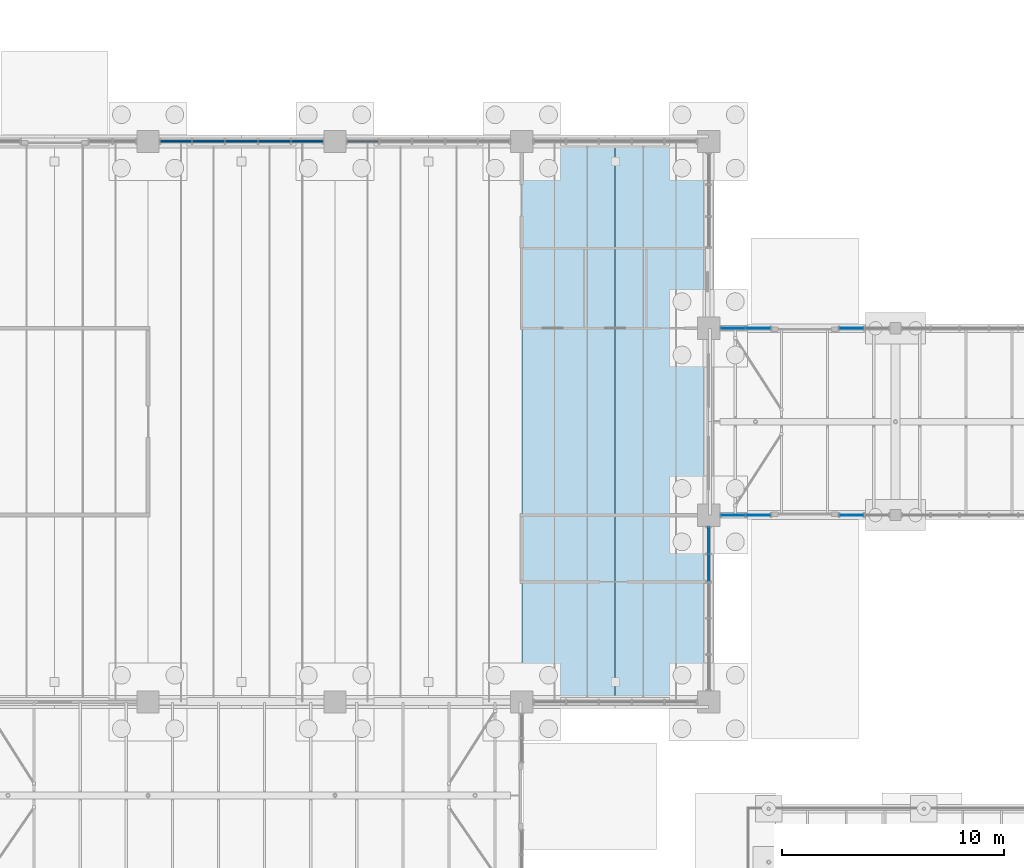
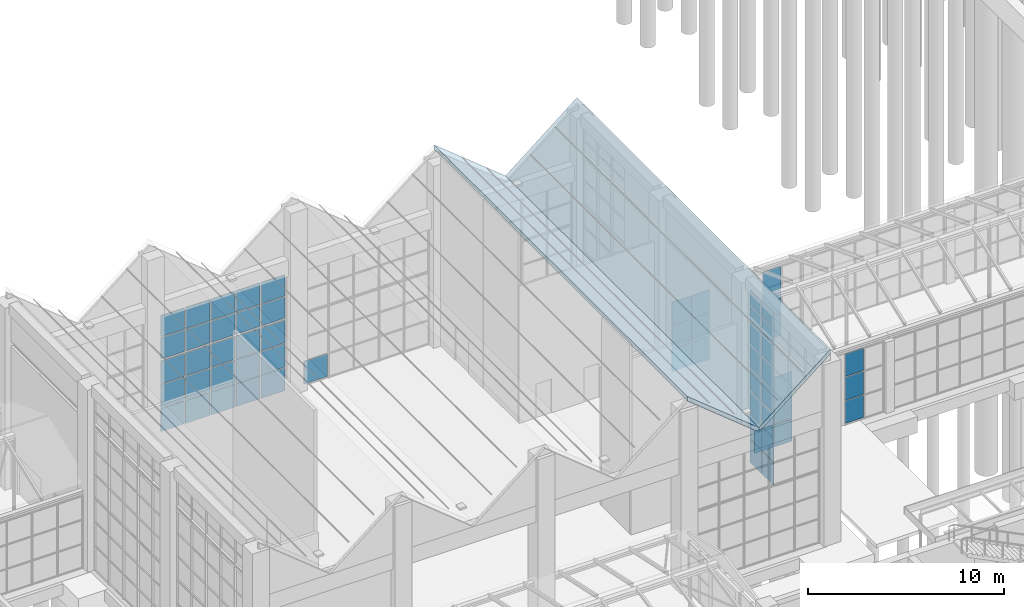
# One storey, part 86 of 138: 60 plates, 2 slabs, 10 elements without a shape of their own.
"""IFC4 building model written with IfcOpenShell, lengths in metres."""

from ifc_helpers import new_model, si_unit, direction, frame, origin, origin_2d, place, context, subcontext, project, spatial, polyline, rectangle, outline, extrude, material, layer, layer_set, type_object, element, aggregate, save


model = new_model("IFC4")

# Units and contexts
model_context = context("Model", 3, precision=1e-05, world=origin(), true_north=direction((0.0, 1.0)))
body_context = subcontext(model_context, "Body", "Model", "MODEL_VIEW")
ifc_project = project(units=[si_unit("LENGTHUNIT", "METRE"), si_unit("AREAUNIT", "SQUARE_METRE"), si_unit("VOLUMEUNIT", "CUBIC_METRE"), si_unit("PLANEANGLEUNIT", "RADIAN"), si_unit("MASSUNIT", "GRAM", prefix="KILO")], contexts=[model_context])

# Site, building, storey
site_placement = place(None, origin())
site = spatial("IfcSite", under=ifc_project, at=site_placement, CompositionType="ELEMENT")
building_placement = place(site_placement, origin())
building = spatial("IfcBuilding", under=site, at=building_placement, Name="Yavir Park General Hospital", CompositionType="ELEMENT")
storey_placement = place(building_placement, origin())
storey = spatial("IfcBuildingStorey", under=building, at=storey_placement, Name="L00", CompositionType="ELEMENT", Elevation=0.0)

# Curtain wall, plates
ifc_material_1 = material(Name="Aluminium curtain wall frame with insulated glazing", Category="aluminium")
curtain_wall_type_1 = type_object("IfcCurtainWallType", Name="Main hall glazing, clerestory band, 1970 high, 1400 module", PredefinedType="NOTDEFINED", material=ifc_material_1)
curtain_wall_1_placement = place(storey_placement, origin())
curtain_wall_1 = element("IfcCurtainWall", 1, at=curtain_wall_1_placement, inside=storey, type_object=curtain_wall_type_1, Name="CW35 L00-063", PredefinedType="NOTDEFINED")
ifc_material_2 = material(Name="Insulated glazed unit 30 mm, low-e coating")
ifc_layer_1 = layer(ifc_material_2, 0.0400390625)
ifc_layer_set_1 = layer_set([ifc_layer_1], Name="Insulated glazed unit 30 mm, low-e coating")
plate_type_1 = type_object("IfcPlateType", Name="Main hall glazing, clerestory band, 1970 high panel 40", PredefinedType="CURTAIN_PANEL", material=ifc_layer_set_1)
plate_1_placement = place(storey_placement, frame((109.199951171875, 48.03759765625, 8.89501953125), z_axis=(0.0, 0.0, 1.0), x_axis=(0.0, 1.0, 0.0)))
plate_1 = element("IfcPlate", 2, at=plate_1_placement, type_object=plate_type_1, Name="CW35 panel 1.1", PredefinedType="CURTAIN_PANEL", context=body_context, shape_type="SweptSolid", body=[
    extrude(rectangle(XDim=1.175048828125, YDim=0.0400390625, at=origin_2d()), origin(), (0.0, 0.0, 1.0), 0.909912109375),
])
plate_2_placement = place(storey_placement, frame((109.199951171875, 48.03759765625, 9.85498046875), z_axis=(0.0, 0.0, 1.0), x_axis=(0.0, 1.0, 0.0)))
plate_2 = element("IfcPlate", 3, at=plate_2_placement, type_object=plate_type_1, Name="CW35 panel 1.2", PredefinedType="CURTAIN_PANEL", context=body_context, shape_type="SweptSolid", body=[
    extrude(rectangle(XDim=1.175048828125, YDim=0.0400390625, at=origin_2d()), origin(), (0.0, 0.0, 1.0), 0.909912109375),
])
plate_3_placement = place(storey_placement, frame((109.199951171875, 49.262451171875, 8.89501953125), z_axis=(0.0, 0.0, 1.0), x_axis=(0.0, 1.0, 0.0)))
plate_3 = element("IfcPlate", 4, at=plate_3_placement, type_object=plate_type_1, Name="CW35 panel 2.1", PredefinedType="CURTAIN_PANEL", context=body_context, shape_type="SweptSolid", body=[
    extrude(rectangle(XDim=1.175048828125, YDim=0.0400390625, at=origin_2d()), origin(), (0.0, 0.0, 1.0), 0.909912109375),
])
plate_4_placement = place(storey_placement, frame((109.199951171875, 49.262451171875, 9.85498046875), z_axis=(0.0, 0.0, 1.0), x_axis=(0.0, 1.0, 0.0)))
plate_4 = element("IfcPlate", 5, at=plate_4_placement, type_object=plate_type_1, Name="CW35 panel 2.2", PredefinedType="CURTAIN_PANEL", context=body_context, shape_type="SweptSolid", body=[
    extrude(rectangle(XDim=1.175048828125, YDim=0.0400390625, at=origin_2d()), origin(), (0.0, 0.0, 1.0), 0.909912109375),
])
aggregate(curtain_wall_1, [plate_1, plate_2, plate_3, plate_4])

ifc_material_3 = material(Name="Aluminium curtain wall frame with insulated glazing", Category="aluminium")
curtain_wall_type_2 = type_object("IfcCurtainWallType", Name="Main hall glazing, lower band, 4500 high, 1400 module", PredefinedType="NOTDEFINED", material=ifc_material_3)
curtain_wall_2_placement = place(storey_placement, origin())
curtain_wall_2 = element("IfcCurtainWall", 6, at=curtain_wall_2_placement, inside=storey, type_object=curtain_wall_type_2, Name="CW33 L00-027", PredefinedType="NOTDEFINED")
ifc_material_4 = material(Name="Solar-control insulated glazed unit 40 mm")
ifc_layer_2 = layer(ifc_material_4, 0.050048828125)
ifc_layer_set_2 = layer_set([ifc_layer_2], Name="Solar-control insulated glazed unit 40 mm")
plate_type_2 = type_object("IfcPlateType", Name="Main hall glazing, lower band, 4500 high panel 50", PredefinedType="CURTAIN_PANEL", material=ifc_layer_set_2)
plate_5_placement = place(storey_placement, frame((85.2548828125, 67.199951171875, 0.06005859375), z_axis=(0.0, 0.0, 1.0), x_axis=(1.0, 0.0, 0.0)))
plate_5 = element("IfcPlate", 7, at=plate_5_placement, type_object=plate_type_2, Name="CW33 panel 1.1", PredefinedType="CURTAIN_PANEL", context=body_context, shape_type="SweptSolid", body=[
    extrude(rectangle(XDim=1.389892578125, YDim=0.050048828125, at=origin_2d()), origin(), (0.0, 0.0, 1.0), 1.409912109375),
])
plate_6_placement = place(storey_placement, frame((85.2548828125, 67.199951171875, 1.530029296875), z_axis=(0.0, 0.0, 1.0), x_axis=(1.0, 0.0, 0.0)))
plate_6 = element("IfcPlate", 8, at=plate_6_placement, type_object=plate_type_2, Name="CW33 panel 1.2", PredefinedType="CURTAIN_PANEL", context=body_context, shape_type="SweptSolid", body=[
    extrude(rectangle(XDim=1.389892578125, YDim=0.050048828125, at=origin_2d()), origin(), (0.0, 0.0, 1.0), 1.43994140625),
])
plate_7_placement = place(storey_placement, frame((85.2548828125, 67.199951171875, 3.0302734375), z_axis=(0.0, 0.0, 1.0), x_axis=(1.0, 0.0, 0.0)))
plate_7 = element("IfcPlate", 9, at=plate_7_placement, type_object=plate_type_2, Name="CW33 panel 1.3", PredefinedType="CURTAIN_PANEL", context=body_context, shape_type="SweptSolid", body=[
    extrude(rectangle(XDim=1.389892578125, YDim=0.050048828125, at=origin_2d()), origin(), (0.0, 0.0, 1.0), 1.409912109375),
])
plate_8_placement = place(storey_placement, frame((86.719970703125, 67.199951171875, 0.06005859375), z_axis=(0.0, 0.0, 1.0), x_axis=(1.0, 0.0, 0.0)))
plate_8 = element("IfcPlate", 10, at=plate_8_placement, type_object=plate_type_2, Name="CW33 panel 2.1", PredefinedType="CURTAIN_PANEL", context=body_context, shape_type="SweptSolid", body=[
    extrude(rectangle(XDim=1.419921875, YDim=0.050048828125, at=origin_2d()), origin(), (0.0, 0.0, 1.0), 1.409912109375),
])
plate_9_placement = place(storey_placement, frame((86.719970703125, 67.199951171875, 1.530029296875), z_axis=(0.0, 0.0, 1.0), x_axis=(1.0, 0.0, 0.0)))
plate_9 = element("IfcPlate", 11, at=plate_9_placement, type_object=plate_type_2, Name="CW33 panel 2.2", PredefinedType="CURTAIN_PANEL", context=body_context, shape_type="SweptSolid", body=[
    extrude(rectangle(XDim=1.419921875, YDim=0.050048828125, at=origin_2d()), origin(), (0.0, 0.0, 1.0), 1.43994140625),
])
plate_10_placement = place(storey_placement, frame((86.719970703125, 67.199951171875, 3.0302734375), z_axis=(0.0, 0.0, 1.0), x_axis=(1.0, 0.0, 0.0)))
plate_10 = element("IfcPlate", 12, at=plate_10_placement, type_object=plate_type_2, Name="CW33 panel 2.3", PredefinedType="CURTAIN_PANEL", context=body_context, shape_type="SweptSolid", body=[
    extrude(rectangle(XDim=1.419921875, YDim=0.050048828125, at=origin_2d()), origin(), (0.0, 0.0, 1.0), 1.409912109375),
])
plate_11_placement = place(storey_placement, frame((88.199951171875, 67.199951171875, 0.06005859375), z_axis=(0.0, 0.0, 1.0), x_axis=(1.0, 0.0, 0.0)))
plate_11 = element("IfcPlate", 13, at=plate_11_placement, type_object=plate_type_2, Name="CW33 panel 3.1", PredefinedType="CURTAIN_PANEL", context=body_context, shape_type="SweptSolid", body=[
    extrude(rectangle(XDim=1.419921875, YDim=0.050048828125, at=origin_2d()), origin(), (0.0, 0.0, 1.0), 1.409912109375),
])
plate_12_placement = place(storey_placement, frame((88.199951171875, 67.199951171875, 1.530029296875), z_axis=(0.0, 0.0, 1.0), x_axis=(1.0, 0.0, 0.0)))
plate_12 = element("IfcPlate", 14, at=plate_12_placement, type_object=plate_type_2, Name="CW33 panel 3.2", PredefinedType="CURTAIN_PANEL", context=body_context, shape_type="SweptSolid", body=[
    extrude(rectangle(XDim=1.419921875, YDim=0.050048828125, at=origin_2d()), origin(), (0.0, 0.0, 1.0), 1.43994140625),
])
plate_13_placement = place(storey_placement, frame((88.199951171875, 67.199951171875, 3.0302734375), z_axis=(0.0, 0.0, 1.0), x_axis=(1.0, 0.0, 0.0)))
plate_13 = element("IfcPlate", 15, at=plate_13_placement, type_object=plate_type_2, Name="CW33 panel 3.3", PredefinedType="CURTAIN_PANEL", context=body_context, shape_type="SweptSolid", body=[
    extrude(rectangle(XDim=1.419921875, YDim=0.050048828125, at=origin_2d()), origin(), (0.0, 0.0, 1.0), 1.409912109375),
])
plate_14_placement = place(storey_placement, frame((89.679931640625, 67.199951171875, 0.06005859375), z_axis=(0.0, 0.0, 1.0), x_axis=(1.0, 0.0, 0.0)))
plate_14 = element("IfcPlate", 16, at=plate_14_placement, type_object=plate_type_2, Name="CW33 panel 4.1", PredefinedType="CURTAIN_PANEL", context=body_context, shape_type="SweptSolid", body=[
    extrude(rectangle(XDim=1.419921875, YDim=0.050048828125, at=origin_2d()), origin(), (0.0, 0.0, 1.0), 1.409912109375),
])
plate_15_placement = place(storey_placement, frame((89.679931640625, 67.199951171875, 1.530029296875), z_axis=(0.0, 0.0, 1.0), x_axis=(1.0, 0.0, 0.0)))
plate_15 = element("IfcPlate", 17, at=plate_15_placement, type_object=plate_type_2, Name="CW33 panel 4.2", PredefinedType="CURTAIN_PANEL", context=body_context, shape_type="SweptSolid", body=[
    extrude(rectangle(XDim=1.419921875, YDim=0.050048828125, at=origin_2d()), origin(), (0.0, 0.0, 1.0), 1.43994140625),
])
plate_16_placement = place(storey_placement, frame((89.679931640625, 67.199951171875, 3.0302734375), z_axis=(0.0, 0.0, 1.0), x_axis=(1.0, 0.0, 0.0)))
plate_16 = element("IfcPlate", 18, at=plate_16_placement, type_object=plate_type_2, Name="CW33 panel 4.3", PredefinedType="CURTAIN_PANEL", context=body_context, shape_type="SweptSolid", body=[
    extrude(rectangle(XDim=1.419921875, YDim=0.050048828125, at=origin_2d()), origin(), (0.0, 0.0, 1.0), 1.409912109375),
])
plate_17_placement = place(storey_placement, frame((91.14501953125, 67.199951171875, 0.06005859375), z_axis=(0.0, 0.0, 1.0), x_axis=(1.0, 0.0, 0.0)))
plate_17 = element("IfcPlate", 19, at=plate_17_placement, type_object=plate_type_2, Name="CW33 panel 5.1", PredefinedType="CURTAIN_PANEL", context=body_context, shape_type="SweptSolid", body=[
    extrude(rectangle(XDim=1.389892578125, YDim=0.050048828125, at=origin_2d()), origin(), (0.0, 0.0, 1.0), 1.409912109375),
])
plate_18_placement = place(storey_placement, frame((91.14501953125, 67.199951171875, 1.530029296875), z_axis=(0.0, 0.0, 1.0), x_axis=(1.0, 0.0, 0.0)))
plate_18 = element("IfcPlate", 20, at=plate_18_placement, type_object=plate_type_2, Name="CW33 panel 5.2", PredefinedType="CURTAIN_PANEL", context=body_context, shape_type="SweptSolid", body=[
    extrude(rectangle(XDim=1.389892578125, YDim=0.050048828125, at=origin_2d()), origin(), (0.0, 0.0, 1.0), 1.43994140625),
])
plate_19_placement = place(storey_placement, frame((91.14501953125, 67.199951171875, 3.0302734375), z_axis=(0.0, 0.0, 1.0), x_axis=(1.0, 0.0, 0.0)))
plate_19 = element("IfcPlate", 21, at=plate_19_placement, type_object=plate_type_2, Name="CW33 panel 5.3", PredefinedType="CURTAIN_PANEL", context=body_context, shape_type="SweptSolid", body=[
    extrude(rectangle(XDim=1.389892578125, YDim=0.050048828125, at=origin_2d()), origin(), (0.0, 0.0, 1.0), 1.409912109375),
])
aggregate(curtain_wall_2, [plate_5, plate_6, plate_7, plate_8, plate_9, plate_10, plate_11, plate_12, plate_13, plate_14, plate_15, plate_16, plate_17, plate_18, plate_19])

# Curtain wall, plate
curtain_wall_3_placement = place(storey_placement, origin())
curtain_wall_3 = element("IfcCurtainWall", 22, at=curtain_wall_3_placement, inside=storey, type_object=curtain_wall_type_2, Name="CW33 L00-029", PredefinedType="NOTDEFINED")
plate_20_placement = place(storey_placement, frame((93.655029296875, 67.199951171875, 0.06005859375), z_axis=(0.0, 0.0, 1.0), x_axis=(1.0, 0.0, 0.0)))
plate_20 = element("IfcPlate", 23, at=plate_20_placement, type_object=plate_type_2, Name="CW33 panel 1.1", PredefinedType="CURTAIN_PANEL", context=body_context, shape_type="SweptSolid", body=[
    extrude(rectangle(XDim=1.389892578125, YDim=0.050048828125, at=origin_2d()), origin(), (0.0, 0.0, 1.0), 1.409912109375),
])
aggregate(curtain_wall_3, [plate_20])

# Curtain wall, plates
curtain_wall_4_placement = place(storey_placement, origin())
curtain_wall_4 = element("IfcCurtainWall", 24, at=curtain_wall_4_placement, inside=storey, type_object=curtain_wall_type_2, Name="CW33 L00-061", PredefinedType="NOTDEFINED")
plate_21_placement = place(storey_placement, frame((109.199951171875, 48.0400390625, 0.06005859375), z_axis=(0.0, 0.0, 1.0), x_axis=(0.0, 1.0, 0.0)))
plate_21 = element("IfcPlate", 25, at=plate_21_placement, type_object=plate_type_2, Name="CW33 panel 1.1", PredefinedType="CURTAIN_PANEL", context=body_context, shape_type="SweptSolid", body=[
    extrude(rectangle(XDim=1.159912109375, YDim=0.050048828125, at=origin_2d()), origin(), (0.0, 0.0, 1.0), 1.409912109375),
])
plate_22_placement = place(storey_placement, frame((109.199951171875, 48.0400390625, 1.530029296875), z_axis=(0.0, 0.0, 1.0), x_axis=(0.0, 1.0, 0.0)))
plate_22 = element("IfcPlate", 26, at=plate_22_placement, type_object=plate_type_2, Name="CW33 panel 1.2", PredefinedType="CURTAIN_PANEL", context=body_context, shape_type="SweptSolid", body=[
    extrude(rectangle(XDim=1.159912109375, YDim=0.050048828125, at=origin_2d()), origin(), (0.0, 0.0, 1.0), 1.43994140625),
])
plate_23_placement = place(storey_placement, frame((109.199951171875, 48.0400390625, 3.0302734375), z_axis=(0.0, 0.0, 1.0), x_axis=(0.0, 1.0, 0.0)))
plate_23 = element("IfcPlate", 27, at=plate_23_placement, type_object=plate_type_2, Name="CW33 panel 1.3", PredefinedType="CURTAIN_PANEL", context=body_context, shape_type="SweptSolid", body=[
    extrude(rectangle(XDim=1.159912109375, YDim=0.050048828125, at=origin_2d()), origin(), (0.0, 0.0, 1.0), 1.409912109375),
])
plate_24_placement = place(storey_placement, frame((109.199951171875, 49.260009765625, 0.06005859375), z_axis=(0.0, 0.0, 1.0), x_axis=(0.0, 1.0, 0.0)))
plate_24 = element("IfcPlate", 28, at=plate_24_placement, type_object=plate_type_2, Name="CW33 panel 2.1", PredefinedType="CURTAIN_PANEL", context=body_context, shape_type="SweptSolid", body=[
    extrude(rectangle(XDim=1.159912109375, YDim=0.050048828125, at=origin_2d()), origin(), (0.0, 0.0, 1.0), 1.409912109375),
])
plate_25_placement = place(storey_placement, frame((109.199951171875, 49.260009765625, 1.530029296875), z_axis=(0.0, 0.0, 1.0), x_axis=(0.0, 1.0, 0.0)))
plate_25 = element("IfcPlate", 29, at=plate_25_placement, type_object=plate_type_2, Name="CW33 panel 2.2", PredefinedType="CURTAIN_PANEL", context=body_context, shape_type="SweptSolid", body=[
    extrude(rectangle(XDim=1.159912109375, YDim=0.050048828125, at=origin_2d()), origin(), (0.0, 0.0, 1.0), 1.43994140625),
])
plate_26_placement = place(storey_placement, frame((109.199951171875, 49.260009765625, 3.0302734375), z_axis=(0.0, 0.0, 1.0), x_axis=(0.0, 1.0, 0.0)))
plate_26 = element("IfcPlate", 30, at=plate_26_placement, type_object=plate_type_2, Name="CW33 panel 2.3", PredefinedType="CURTAIN_PANEL", context=body_context, shape_type="SweptSolid", body=[
    extrude(rectangle(XDim=1.159912109375, YDim=0.050048828125, at=origin_2d()), origin(), (0.0, 0.0, 1.0), 1.409912109375),
])
aggregate(curtain_wall_4, [plate_21, plate_22, plate_23, plate_24, plate_25, plate_26])

ifc_material_5 = material(Name="Aluminium curtain wall frame with insulated glazing", Category="aluminium")
curtain_wall_type_3 = type_object("IfcCurtainWallType", Name="Main hall glazing, upper band, 2817 high, 1400 module", PredefinedType="NOTDEFINED", material=ifc_material_5)
curtain_wall_5_placement = place(storey_placement, origin())
curtain_wall_5 = element("IfcCurtainWall", 31, at=curtain_wall_5_placement, inside=storey, type_object=curtain_wall_type_3, Name="CW34 L00-028", PredefinedType="NOTDEFINED")
ifc_material_6 = material(Name="Solar-control insulated glazed unit 40 mm")
ifc_layer_3 = layer(ifc_material_6, 0.0400390625)
ifc_layer_set_3 = layer_set([ifc_layer_3], Name="Solar-control insulated glazed unit 40 mm")
plate_type_3 = type_object("IfcPlateType", Name="Main hall glazing, upper band, 2817 high panel 40", PredefinedType="CURTAIN_PANEL", material=ifc_layer_set_3)
plate_27_placement = place(storey_placement, frame((85.2548828125, 67.199951171875, 4.56005859375), z_axis=(0.0, 0.0, 1.0), x_axis=(1.0, 0.0, 0.0)))
plate_27 = element("IfcPlate", 32, at=plate_27_placement, type_object=plate_type_3, Name="CW34 panel 1.1", PredefinedType="CURTAIN_PANEL", context=body_context, shape_type="SweptSolid", body=[
    extrude(rectangle(XDim=1.389892578125, YDim=0.0400390625, at=origin_2d()), origin(), (0.0, 0.0, 1.0), 1.318603515625),
])
plate_28_placement = place(storey_placement, frame((85.2548828125, 67.199951171875, 5.9384765625), z_axis=(0.0, 0.0, 1.0), x_axis=(1.0, 0.0, 0.0)))
plate_28 = element("IfcPlate", 33, at=plate_28_placement, type_object=plate_type_3, Name="CW34 panel 1.2", PredefinedType="CURTAIN_PANEL", context=body_context, shape_type="SweptSolid", body=[
    extrude(rectangle(XDim=1.389892578125, YDim=0.0400390625, at=origin_2d()), origin(), (0.0, 0.0, 1.0), 1.318603515625),
])
plate_29_placement = place(storey_placement, frame((86.719970703125, 67.199951171875, 4.56005859375), z_axis=(0.0, 0.0, 1.0), x_axis=(1.0, 0.0, 0.0)))
plate_29 = element("IfcPlate", 34, at=plate_29_placement, type_object=plate_type_3, Name="CW34 panel 2.1", PredefinedType="CURTAIN_PANEL", context=body_context, shape_type="SweptSolid", body=[
    extrude(rectangle(XDim=1.419921875, YDim=0.0400390625, at=origin_2d()), origin(), (0.0, 0.0, 1.0), 1.318603515625),
])
plate_30_placement = place(storey_placement, frame((86.719970703125, 67.199951171875, 5.9384765625), z_axis=(0.0, 0.0, 1.0), x_axis=(1.0, 0.0, 0.0)))
plate_30 = element("IfcPlate", 35, at=plate_30_placement, type_object=plate_type_3, Name="CW34 panel 2.2", PredefinedType="CURTAIN_PANEL", context=body_context, shape_type="SweptSolid", body=[
    extrude(rectangle(XDim=1.419921875, YDim=0.0400390625, at=origin_2d()), origin(), (0.0, 0.0, 1.0), 1.318603515625),
])
plate_31_placement = place(storey_placement, frame((88.199951171875, 67.199951171875, 4.56005859375), z_axis=(0.0, 0.0, 1.0), x_axis=(1.0, 0.0, 0.0)))
plate_31 = element("IfcPlate", 36, at=plate_31_placement, type_object=plate_type_3, Name="CW34 panel 3.1", PredefinedType="CURTAIN_PANEL", context=body_context, shape_type="SweptSolid", body=[
    extrude(rectangle(XDim=1.419921875, YDim=0.0400390625, at=origin_2d()), origin(), (0.0, 0.0, 1.0), 1.318603515625),
])
plate_32_placement = place(storey_placement, frame((88.199951171875, 67.199951171875, 5.9384765625), z_axis=(0.0, 0.0, 1.0), x_axis=(1.0, 0.0, 0.0)))
plate_32 = element("IfcPlate", 37, at=plate_32_placement, type_object=plate_type_3, Name="CW34 panel 3.2", PredefinedType="CURTAIN_PANEL", context=body_context, shape_type="SweptSolid", body=[
    extrude(rectangle(XDim=1.419921875, YDim=0.0400390625, at=origin_2d()), origin(), (0.0, 0.0, 1.0), 1.318603515625),
])
plate_33_placement = place(storey_placement, frame((89.679931640625, 67.199951171875, 4.56005859375), z_axis=(0.0, 0.0, 1.0), x_axis=(1.0, 0.0, 0.0)))
plate_33 = element("IfcPlate", 38, at=plate_33_placement, type_object=plate_type_3, Name="CW34 panel 4.1", PredefinedType="CURTAIN_PANEL", context=body_context, shape_type="SweptSolid", body=[
    extrude(rectangle(XDim=1.419921875, YDim=0.0400390625, at=origin_2d()), origin(), (0.0, 0.0, 1.0), 1.318603515625),
])
plate_34_placement = place(storey_placement, frame((89.679931640625, 67.199951171875, 5.9384765625), z_axis=(0.0, 0.0, 1.0), x_axis=(1.0, 0.0, 0.0)))
plate_34 = element("IfcPlate", 39, at=plate_34_placement, type_object=plate_type_3, Name="CW34 panel 4.2", PredefinedType="CURTAIN_PANEL", context=body_context, shape_type="SweptSolid", body=[
    extrude(rectangle(XDim=1.419921875, YDim=0.0400390625, at=origin_2d()), origin(), (0.0, 0.0, 1.0), 1.318603515625),
])
plate_35_placement = place(storey_placement, frame((91.14501953125, 67.199951171875, 4.56005859375), z_axis=(0.0, 0.0, 1.0), x_axis=(1.0, 0.0, 0.0)))
plate_35 = element("IfcPlate", 40, at=plate_35_placement, type_object=plate_type_3, Name="CW34 panel 5.1", PredefinedType="CURTAIN_PANEL", context=body_context, shape_type="SweptSolid", body=[
    extrude(rectangle(XDim=1.389892578125, YDim=0.0400390625, at=origin_2d()), origin(), (0.0, 0.0, 1.0), 1.318603515625),
])
plate_36_placement = place(storey_placement, frame((91.14501953125, 67.199951171875, 5.9384765625), z_axis=(0.0, 0.0, 1.0), x_axis=(1.0, 0.0, 0.0)))
plate_36 = element("IfcPlate", 41, at=plate_36_placement, type_object=plate_type_3, Name="CW34 panel 5.2", PredefinedType="CURTAIN_PANEL", context=body_context, shape_type="SweptSolid", body=[
    extrude(rectangle(XDim=1.389892578125, YDim=0.0400390625, at=origin_2d()), origin(), (0.0, 0.0, 1.0), 1.318603515625),
])
aggregate(curtain_wall_5, [plate_27, plate_28, plate_29, plate_30, plate_31, plate_32, plate_33, plate_34, plate_35, plate_36])

ifc_material_7 = material(Name="Aluminium curtain wall frame with insulated glazing", Category="aluminium")
curtain_wall_type_4 = type_object("IfcCurtainWallType", Name="Main hall glazing, upper band, 4345 high, 1400 module", PredefinedType="NOTDEFINED", material=ifc_material_7)
curtain_wall_6_placement = place(storey_placement, origin())
curtain_wall_6 = element("IfcCurtainWall", 42, at=curtain_wall_6_placement, inside=storey, type_object=curtain_wall_type_4, Name="CW52 L00-062", PredefinedType="NOTDEFINED")
ifc_material_8 = material(Name="Solar-control insulated glazed unit 40 mm")
ifc_layer_4 = layer(ifc_material_8, 0.0400390625)
ifc_layer_set_4 = layer_set([ifc_layer_4], Name="Solar-control insulated glazed unit 40 mm")
plate_type_4 = type_object("IfcPlateType", Name="Main hall glazing, upper band, 4345 high panel 40", PredefinedType="CURTAIN_PANEL", material=ifc_layer_set_4)
plate_37_placement = place(storey_placement, frame((109.199951171875, 48.0400390625, 4.56005859375), z_axis=(0.0, 0.0, 1.0), x_axis=(0.0, 1.0, 0.0)))
plate_37 = element("IfcPlate", 43, at=plate_37_placement, type_object=plate_type_4, Name="CW52 panel 1.1", PredefinedType="CURTAIN_PANEL", context=body_context, shape_type="SweptSolid", body=[
    extrude(rectangle(XDim=1.159912109375, YDim=0.0400390625, at=origin_2d()), origin(), (0.0, 0.0, 1.0), 1.3583984375),
])
plate_38_placement = place(storey_placement, frame((109.199951171875, 48.0400390625, 5.978515625), z_axis=(0.0, 0.0, 1.0), x_axis=(0.0, 1.0, 0.0)))
plate_38 = element("IfcPlate", 44, at=plate_38_placement, type_object=plate_type_4, Name="CW52 panel 1.2", PredefinedType="CURTAIN_PANEL", context=body_context, shape_type="SweptSolid", body=[
    extrude(rectangle(XDim=1.159912109375, YDim=0.0400390625, at=origin_2d()), origin(), (0.0, 0.0, 1.0), 1.388427734375),
])
plate_39_placement = place(storey_placement, frame((109.199951171875, 48.0400390625, 7.426513671875), z_axis=(0.0, 0.0, 1.0), x_axis=(0.0, 1.0, 0.0)))
plate_39 = element("IfcPlate", 45, at=plate_39_placement, type_object=plate_type_4, Name="CW52 panel 1.3", PredefinedType="CURTAIN_PANEL", context=body_context, shape_type="SweptSolid", body=[
    extrude(rectangle(XDim=1.159912109375, YDim=0.0400390625, at=origin_2d()), origin(), (0.0, 0.0, 1.0), 1.3583984375),
])
plate_40_placement = place(storey_placement, frame((109.199951171875, 49.260009765625, 4.56005859375), z_axis=(0.0, 0.0, 1.0), x_axis=(0.0, 1.0, 0.0)))
plate_40 = element("IfcPlate", 46, at=plate_40_placement, type_object=plate_type_4, Name="CW52 panel 2.1", PredefinedType="CURTAIN_PANEL", context=body_context, shape_type="SweptSolid", body=[
    extrude(rectangle(XDim=1.159912109375, YDim=0.0400390625, at=origin_2d()), origin(), (0.0, 0.0, 1.0), 1.3583984375),
])
plate_41_placement = place(storey_placement, frame((109.199951171875, 49.260009765625, 5.978515625), z_axis=(0.0, 0.0, 1.0), x_axis=(0.0, 1.0, 0.0)))
plate_41 = element("IfcPlate", 47, at=plate_41_placement, type_object=plate_type_4, Name="CW52 panel 2.2", PredefinedType="CURTAIN_PANEL", context=body_context, shape_type="SweptSolid", body=[
    extrude(rectangle(XDim=1.159912109375, YDim=0.0400390625, at=origin_2d()), origin(), (0.0, 0.0, 1.0), 1.388427734375),
])
plate_42_placement = place(storey_placement, frame((109.199951171875, 49.260009765625, 7.426513671875), z_axis=(0.0, 0.0, 1.0), x_axis=(0.0, 1.0, 0.0)))
plate_42 = element("IfcPlate", 48, at=plate_42_placement, type_object=plate_type_4, Name="CW52 panel 2.3", PredefinedType="CURTAIN_PANEL", context=body_context, shape_type="SweptSolid", body=[
    extrude(rectangle(XDim=1.159912109375, YDim=0.0400390625, at=origin_2d()), origin(), (0.0, 0.0, 1.0), 1.3583984375),
])
aggregate(curtain_wall_6, [plate_37, plate_38, plate_39, plate_40, plate_41, plate_42])

# Slabs
ifc_material_9 = material(Name="Concrete C35/45", Category="concrete")
ifc_layer_5 = layer(ifc_material_9, 0.219970703125)
ifc_layer_set_5 = layer_set([ifc_layer_5], Name="Concrete C35/45")
slab_type = type_object("IfcSlabType", Name="RC SLAB ROOF 220", PredefinedType="ROOF", material=ifc_layer_set_5)
slab_1_placement = place(storey_placement, frame((100.800048828125, 41.699951171875, 12.0), z_axis=(0.0, 0.0, 1.0), x_axis=(1.0, 0.0, 0.0)))
element("IfcSlab", 49, at=slab_1_placement, inside=storey, type_object=slab_type, Name="RF:HALL:F07", PredefinedType="ROOF", context=body_context, shape_type="SweptSolid", body=[
    extrude(outline(polyline([(0.0, 0.0), (4.199951171875, -3.39990234375), (4.199951171875, -3.682861328125), (0.0, -0.282958984375), (0.0, 0.0)])), frame((0.0, 25.800048828125, 0.0), z_axis=(0.0, -1.0, 0.0), x_axis=(1.0, 0.0, 0.0)), (0.0, 0.0, 1.0), 25.800048828125),
])
slab_2_placement = place(storey_placement, frame((105.0, 41.699951171875, 8.60009765625), z_axis=(0.0, 0.0, 1.0), x_axis=(1.0, 0.0, 0.0)))
element("IfcSlab", 50, at=slab_2_placement, inside=storey, type_object=slab_type, Name="RF:HALL:F08", PredefinedType="ROOF", context=body_context, shape_type="SweptSolid", body=[
    extrude(outline(polyline([(0.0, 0.0), (4.199951171875, 3.39990234375), (4.199951171875, 3.116943359375), (0.0, -0.282958984375), (0.0, 0.0)])), frame((0.0, 25.800048828125, 0.0), z_axis=(0.0, -1.0, 0.0), x_axis=(1.0, 0.0, 0.0)), (0.0, 0.0, 1.0), 25.800048828125),
])

# Curtain wall, plates
ifc_material_10 = material(Name="Aluminium curtain wall frame with insulated glazing", Category="aluminium")
curtain_wall_type_5 = type_object("IfcCurtainWallType", Name="Winter-garden concourse glazing, 4425 high, 1400 module", PredefinedType="NOTDEFINED", material=ifc_material_10)
curtain_wall_7_placement = place(storey_placement, origin())
curtain_wall_7 = element("IfcCurtainWall", 51, at=curtain_wall_7_placement, inside=storey, type_object=curtain_wall_type_5, Name="CW37 L00-013", PredefinedType="NOTDEFINED")
ifc_material_11 = material(Name="Solar-control insulated glazed unit 40 mm")
ifc_layer_6 = layer(ifc_material_11, 0.0400390625)
ifc_layer_set_6 = layer_set([ifc_layer_6], Name="Solar-control insulated glazed unit 40 mm")
plate_type_5 = type_object("IfcPlateType", Name="Winter-garden concourse glazing, 4425 high panel 40", PredefinedType="CURTAIN_PANEL", material=ifc_layer_set_6)
plate_43_placement = place(storey_placement, frame((110.296142578125, 50.39990234375, 0.06005859375), z_axis=(0.0, 0.0, 1.0), x_axis=(1.0, 0.0, 0.0)))
plate_43 = element("IfcPlate", 52, at=plate_43_placement, type_object=plate_type_5, Name="CW37 panel 1.1", PredefinedType="CURTAIN_PANEL", context=body_context, shape_type="SweptSolid", body=[
    extrude(rectangle(XDim=1.072509765625, YDim=0.0400390625, at=origin_2d()), origin(), (0.0, 0.0, 1.0), 1.385009765625),
])
plate_44_placement = place(storey_placement, frame((110.296142578125, 50.39990234375, 1.5048828125), z_axis=(0.0, 0.0, 1.0), x_axis=(1.0, 0.0, 0.0)))
plate_44 = element("IfcPlate", 53, at=plate_44_placement, type_object=plate_type_5, Name="CW37 panel 1.2", PredefinedType="CURTAIN_PANEL", context=body_context, shape_type="SweptSolid", body=[
    extrude(rectangle(XDim=1.072509765625, YDim=0.0400390625, at=origin_2d()), origin(), (0.0, 0.0, 1.0), 1.4150390625),
])
plate_45_placement = place(storey_placement, frame((110.296142578125, 50.39990234375, 2.97998046875), z_axis=(0.0, 0.0, 1.0), x_axis=(1.0, 0.0, 0.0)))
plate_45 = element("IfcPlate", 54, at=plate_45_placement, type_object=plate_type_5, Name="CW37 panel 1.3", PredefinedType="CURTAIN_PANEL", context=body_context, shape_type="SweptSolid", body=[
    extrude(rectangle(XDim=1.072509765625, YDim=0.0400390625, at=origin_2d()), origin(), (0.0, 0.0, 1.0), 1.385009765625),
])
plate_46_placement = place(storey_placement, frame((111.4287109375, 50.39990234375, 0.06005859375), z_axis=(0.0, 0.0, 1.0), x_axis=(1.0, 0.0, 0.0)))
plate_46 = element("IfcPlate", 55, at=plate_46_placement, type_object=plate_type_5, Name="CW37 panel 2.1", PredefinedType="CURTAIN_PANEL", context=body_context, shape_type="SweptSolid", body=[
    extrude(rectangle(XDim=1.072509765625, YDim=0.0400390625, at=origin_2d()), origin(), (0.0, 0.0, 1.0), 1.385009765625),
])
plate_47_placement = place(storey_placement, frame((111.4287109375, 50.39990234375, 1.5048828125), z_axis=(0.0, 0.0, 1.0), x_axis=(1.0, 0.0, 0.0)))
plate_47 = element("IfcPlate", 56, at=plate_47_placement, type_object=plate_type_5, Name="CW37 panel 2.2", PredefinedType="CURTAIN_PANEL", context=body_context, shape_type="SweptSolid", body=[
    extrude(rectangle(XDim=1.072509765625, YDim=0.0400390625, at=origin_2d()), origin(), (0.0, 0.0, 1.0), 1.4150390625),
])
plate_48_placement = place(storey_placement, frame((111.4287109375, 50.39990234375, 2.97998046875), z_axis=(0.0, 0.0, 1.0), x_axis=(1.0, 0.0, 0.0)))
plate_48 = element("IfcPlate", 57, at=plate_48_placement, type_object=plate_type_5, Name="CW37 panel 2.3", PredefinedType="CURTAIN_PANEL", context=body_context, shape_type="SweptSolid", body=[
    extrude(rectangle(XDim=1.072509765625, YDim=0.0400390625, at=origin_2d()), origin(), (0.0, 0.0, 1.0), 1.385009765625),
])
aggregate(curtain_wall_7, [plate_43, plate_44, plate_45, plate_46, plate_47, plate_48])

curtain_wall_8_placement = place(storey_placement, origin())
curtain_wall_8 = element("IfcCurtainWall", 58, at=curtain_wall_8_placement, inside=storey, type_object=curtain_wall_type_5, Name="CW37 L00-014", PredefinedType="NOTDEFINED")
plate_49_placement = place(storey_placement, frame((115.621337890625, 50.39990234375, 0.06005859375), z_axis=(0.0, 0.0, 1.0), x_axis=(1.0, 0.0, 0.0)))
plate_49 = element("IfcPlate", 59, at=plate_49_placement, type_object=plate_type_5, Name="CW37 panel 1.1", PredefinedType="CURTAIN_PANEL", context=body_context, shape_type="SweptSolid", body=[
    extrude(rectangle(XDim=1.072509765625, YDim=0.0400390625, at=origin_2d()), origin(), (0.0, 0.0, 1.0), 1.385009765625),
])
plate_50_placement = place(storey_placement, frame((115.621337890625, 50.39990234375, 1.5048828125), z_axis=(0.0, 0.0, 1.0), x_axis=(1.0, 0.0, 0.0)))
plate_50 = element("IfcPlate", 60, at=plate_50_placement, type_object=plate_type_5, Name="CW37 panel 1.2", PredefinedType="CURTAIN_PANEL", context=body_context, shape_type="SweptSolid", body=[
    extrude(rectangle(XDim=1.072509765625, YDim=0.0400390625, at=origin_2d()), origin(), (0.0, 0.0, 1.0), 1.4150390625),
])
plate_51_placement = place(storey_placement, frame((115.621337890625, 50.39990234375, 2.97998046875), z_axis=(0.0, 0.0, 1.0), x_axis=(1.0, 0.0, 0.0)))
plate_51 = element("IfcPlate", 61, at=plate_51_placement, type_object=plate_type_5, Name="CW37 panel 1.3", PredefinedType="CURTAIN_PANEL", context=body_context, shape_type="SweptSolid", body=[
    extrude(rectangle(XDim=1.072509765625, YDim=0.0400390625, at=origin_2d()), origin(), (0.0, 0.0, 1.0), 1.385009765625),
])
aggregate(curtain_wall_8, [plate_49, plate_50, plate_51])

curtain_wall_9_placement = place(storey_placement, origin())
curtain_wall_9 = element("IfcCurtainWall", 62, at=curtain_wall_9_placement, inside=storey, type_object=curtain_wall_type_5, Name="CW37 L00-018", PredefinedType="NOTDEFINED")
plate_52_placement = place(storey_placement, frame((110.296142578125, 58.800048828125, 0.06005859375), z_axis=(0.0, 0.0, 1.0), x_axis=(1.0, 0.0, 0.0)))
plate_52 = element("IfcPlate", 63, at=plate_52_placement, type_object=plate_type_5, Name="CW37 panel 1.1", PredefinedType="CURTAIN_PANEL", context=body_context, shape_type="SweptSolid", body=[
    extrude(rectangle(XDim=1.072509765625, YDim=0.0400390625, at=origin_2d()), origin(), (0.0, 0.0, 1.0), 1.385009765625),
])
plate_53_placement = place(storey_placement, frame((110.296142578125, 58.800048828125, 1.5048828125), z_axis=(0.0, 0.0, 1.0), x_axis=(1.0, 0.0, 0.0)))
plate_53 = element("IfcPlate", 64, at=plate_53_placement, type_object=plate_type_5, Name="CW37 panel 1.2", PredefinedType="CURTAIN_PANEL", context=body_context, shape_type="SweptSolid", body=[
    extrude(rectangle(XDim=1.072509765625, YDim=0.0400390625, at=origin_2d()), origin(), (0.0, 0.0, 1.0), 1.4150390625),
])
plate_54_placement = place(storey_placement, frame((110.296142578125, 58.800048828125, 2.97998046875), z_axis=(0.0, 0.0, 1.0), x_axis=(1.0, 0.0, 0.0)))
plate_54 = element("IfcPlate", 65, at=plate_54_placement, type_object=plate_type_5, Name="CW37 panel 1.3", PredefinedType="CURTAIN_PANEL", context=body_context, shape_type="SweptSolid", body=[
    extrude(rectangle(XDim=1.072509765625, YDim=0.0400390625, at=origin_2d()), origin(), (0.0, 0.0, 1.0), 1.385009765625),
])
plate_55_placement = place(storey_placement, frame((111.4287109375, 58.800048828125, 0.06005859375), z_axis=(0.0, 0.0, 1.0), x_axis=(1.0, 0.0, 0.0)))
plate_55 = element("IfcPlate", 66, at=plate_55_placement, type_object=plate_type_5, Name="CW37 panel 2.1", PredefinedType="CURTAIN_PANEL", context=body_context, shape_type="SweptSolid", body=[
    extrude(rectangle(XDim=1.072509765625, YDim=0.0400390625, at=origin_2d()), origin(), (0.0, 0.0, 1.0), 1.385009765625),
])
plate_56_placement = place(storey_placement, frame((111.4287109375, 58.800048828125, 1.5048828125), z_axis=(0.0, 0.0, 1.0), x_axis=(1.0, 0.0, 0.0)))
plate_56 = element("IfcPlate", 67, at=plate_56_placement, type_object=plate_type_5, Name="CW37 panel 2.2", PredefinedType="CURTAIN_PANEL", context=body_context, shape_type="SweptSolid", body=[
    extrude(rectangle(XDim=1.072509765625, YDim=0.0400390625, at=origin_2d()), origin(), (0.0, 0.0, 1.0), 1.4150390625),
])
plate_57_placement = place(storey_placement, frame((111.4287109375, 58.800048828125, 2.97998046875), z_axis=(0.0, 0.0, 1.0), x_axis=(1.0, 0.0, 0.0)))
plate_57 = element("IfcPlate", 68, at=plate_57_placement, type_object=plate_type_5, Name="CW37 panel 2.3", PredefinedType="CURTAIN_PANEL", context=body_context, shape_type="SweptSolid", body=[
    extrude(rectangle(XDim=1.072509765625, YDim=0.0400390625, at=origin_2d()), origin(), (0.0, 0.0, 1.0), 1.385009765625),
])
aggregate(curtain_wall_9, [plate_52, plate_53, plate_54, plate_55, plate_56, plate_57])

curtain_wall_10_placement = place(storey_placement, origin())
curtain_wall_10 = element("IfcCurtainWall", 69, at=curtain_wall_10_placement, inside=storey, type_object=curtain_wall_type_5, Name="CW37 L00-019", PredefinedType="NOTDEFINED")
plate_58_placement = place(storey_placement, frame((115.621337890625, 58.800048828125, 0.06005859375), z_axis=(0.0, 0.0, 1.0), x_axis=(1.0, 0.0, 0.0)))
plate_58 = element("IfcPlate", 70, at=plate_58_placement, type_object=plate_type_5, Name="CW37 panel 1.1", PredefinedType="CURTAIN_PANEL", context=body_context, shape_type="SweptSolid", body=[
    extrude(rectangle(XDim=1.072509765625, YDim=0.0400390625, at=origin_2d()), origin(), (0.0, 0.0, 1.0), 1.385009765625),
])
plate_59_placement = place(storey_placement, frame((115.621337890625, 58.800048828125, 1.5048828125), z_axis=(0.0, 0.0, 1.0), x_axis=(1.0, 0.0, 0.0)))
plate_59 = element("IfcPlate", 71, at=plate_59_placement, type_object=plate_type_5, Name="CW37 panel 1.2", PredefinedType="CURTAIN_PANEL", context=body_context, shape_type="SweptSolid", body=[
    extrude(rectangle(XDim=1.072509765625, YDim=0.0400390625, at=origin_2d()), origin(), (0.0, 0.0, 1.0), 1.4150390625),
])
plate_60_placement = place(storey_placement, frame((115.621337890625, 58.800048828125, 2.97998046875), z_axis=(0.0, 0.0, 1.0), x_axis=(1.0, 0.0, 0.0)))
plate_60 = element("IfcPlate", 72, at=plate_60_placement, type_object=plate_type_5, Name="CW37 panel 1.3", PredefinedType="CURTAIN_PANEL", context=body_context, shape_type="SweptSolid", body=[
    extrude(rectangle(XDim=1.072509765625, YDim=0.0400390625, at=origin_2d()), origin(), (0.0, 0.0, 1.0), 1.385009765625),
])
aggregate(curtain_wall_10, [plate_58, plate_59, plate_60])

save(model, "model.ifc")
